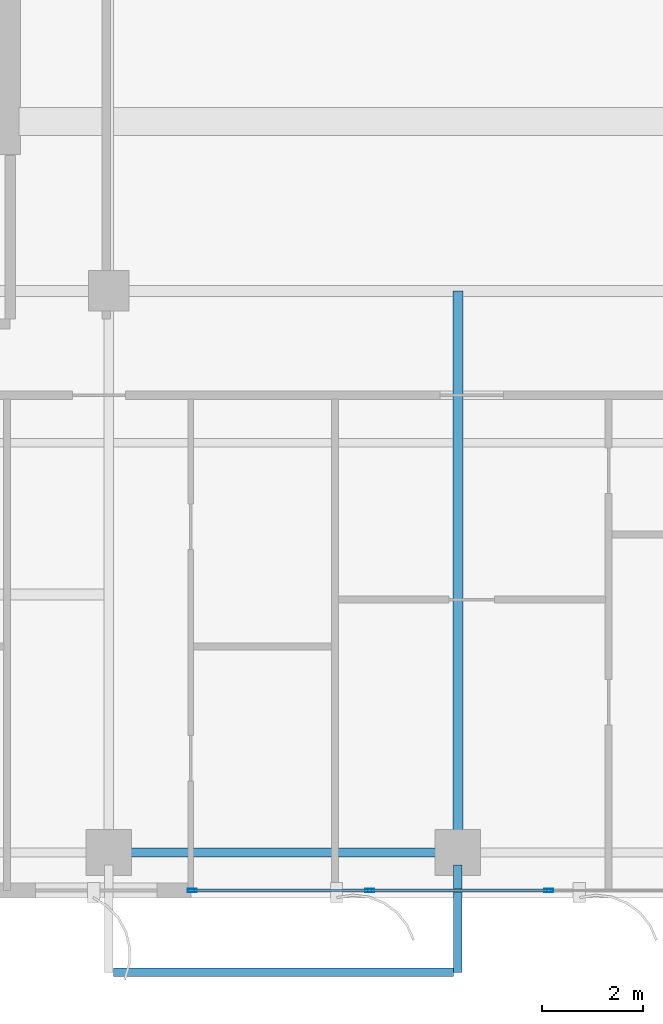
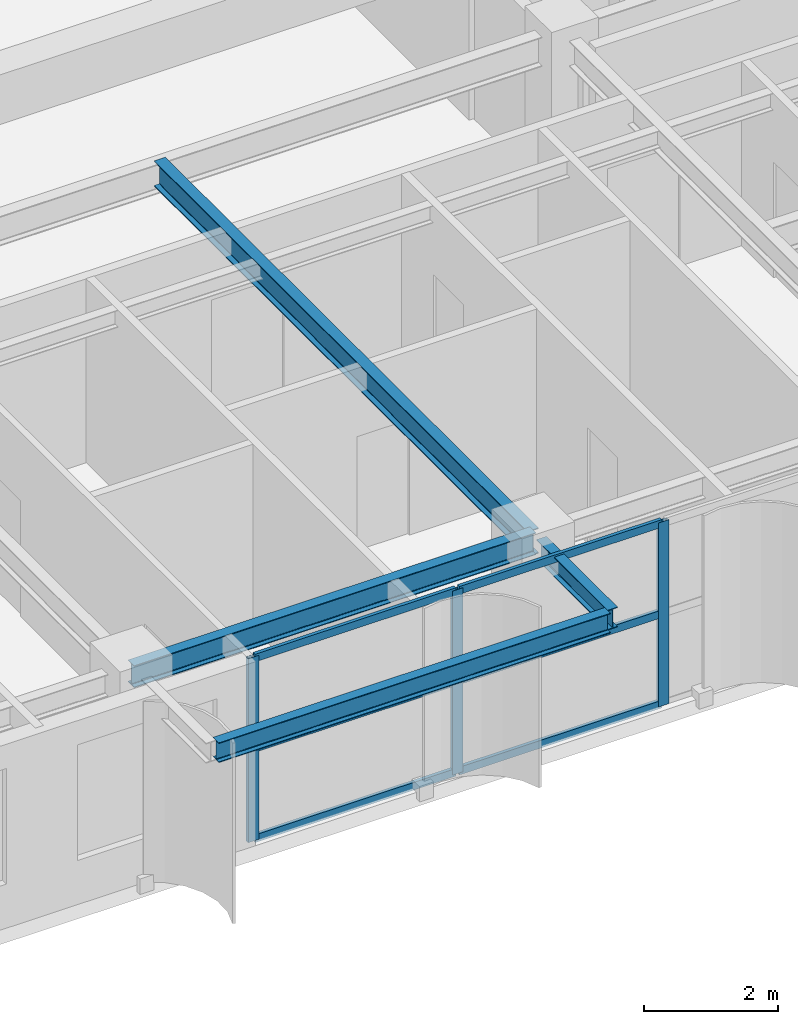
# One storey, part 2 of 23: 9 members, 4 beams, 1 element without a shape of its own.
"""IFC4 building model written with IfcOpenShell, lengths in metres."""

from ifc_helpers import new_model, si_unit, direction, frame, origin, origin_2d, place, context, subcontext, project, spatial, hollow_rectangle, i_section, extrude, source, transform, mapped, material, layer, layer_set, material_profile, profile_set, type_object, element, aggregate, save


model = new_model("IFC4")

# Units and contexts
model_context = context("Model", 3, precision=1e-05, world=origin(), true_north=direction((0.0, 1.0)))
body_context = subcontext(model_context, "Body", "Model", "MODEL_VIEW")
ifc_project = project(units=[si_unit("LENGTHUNIT", "METRE"), si_unit("AREAUNIT", "SQUARE_METRE"), si_unit("VOLUMEUNIT", "CUBIC_METRE"), si_unit("PLANEANGLEUNIT", "RADIAN"), si_unit("MASSUNIT", "GRAM", prefix="KILO")], contexts=[model_context])

# Site, building, storey
site_placement = place(None, origin())
site = spatial("IfcSite", under=ifc_project, at=site_placement, CompositionType="ELEMENT")
building_placement = place(site_placement, origin())
building = spatial("IfcBuilding", under=site, at=building_placement, Name="Khoralis Quay Care Tower", CompositionType="ELEMENT")
storey_placement = place(building_placement, frame((0.0, 0.0, 173.699951171875)))
storey = spatial("IfcBuildingStorey", under=building, at=storey_placement, Name="L45", CompositionType="ELEMENT", Elevation=173.699951171875)

# Beams
ifc_material_1 = material(Name="Steel S355", Category="steel")
ifc_material_profile_1 = material_profile(ifc_material_1, i_section(OverallWidth=0.179931640625, OverallDepth=0.39990234375, WebThickness=0.008544921875, FlangeThickness=0.013427734375, FilletRadius=0.02099609375, at=origin_2d()), Name="Steel S355")
ifc_profile_set_1 = profile_set([ifc_material_profile_1], Name="Steel S355")
beam_type_1 = type_object("IfcBeamType", Name="BM-IPE400", PredefinedType="SPANDREL", material=ifc_profile_set_1)
shared_shape_1 = source(origin(), body_context, "Body", "SweptSolid", [
    extrude(i_section(OverallWidth=0.179931640625, OverallDepth=0.39990234375, WebThickness=0.008544921875, FlangeThickness=0.013427734375, FilletRadius=0.02099609375, at=origin_2d()), origin(), (0.0, 0.0, 1.0), 6.89990234375),
])
beam_1_placement = place(storey_placement, frame((17.10009765625, 0.89990234375, 3.14013671875), z_axis=(1.0, 0.0, 0.0), x_axis=(0.0, 1.0, 0.0)))
element("IfcBeam", 1, at=beam_1_placement, inside=storey, type_object=beam_type_1, Name="BM-TSP-L45-02", PredefinedType="SPANDREL", context=body_context, shape_type="MappedRepresentation", body=[
    mapped(shared_shape_1, transform((0.0, 0.0, 0.0), scale=1.0)),
])
ifc_material_profile_2 = material_profile(ifc_material_1, i_section(OverallWidth=0.19189453125, OverallDepth=0.462890625, WebThickness=0.010498046875, FlangeThickness=0.017578125, FilletRadius=0.014892578125, at=origin_2d()), Name="Steel S355")
ifc_profile_set_2 = profile_set([ifc_material_profile_2], Name="Steel S355")
beam_type_2 = type_object("IfcBeamType", Name="BM-W460X89", PredefinedType="BEAM", material=ifc_profile_set_2)
shared_shape_2 = source(origin(), body_context, "Body", "SweptSolid", [
    extrude(i_section(OverallWidth=0.19189453125, OverallDepth=0.462890625, WebThickness=0.010498046875, FlangeThickness=0.017578125, FilletRadius=0.014892578125, at=origin_2d()), origin(), (0.0, 0.0, 1.0), 11.10009765625),
])
beam_2_placement = place(storey_placement, frame((24.0, 0.89990234375, 3.108642578125), z_axis=(0.0, 1.0, 0.0), x_axis=(-1.0, 0.0, 0.0)))
element("IfcBeam", 2, at=beam_2_placement, inside=storey, type_object=beam_type_2, Name="BM-TGYS-L45-240", PredefinedType="BEAM", context=body_context, shape_type="MappedRepresentation", body=[
    mapped(shared_shape_2, transform((0.0, 0.0, 0.0), scale=1.0)),
])
ifc_material_profile_3 = material_profile(ifc_material_1, i_section(OverallWidth=0.169921875, OverallDepth=0.360107421875, WebThickness=0.008056640625, FlangeThickness=0.0126953125, FilletRadius=0.01806640625, at=origin_2d()), Name="Steel S355")
ifc_profile_set_3 = profile_set([ifc_material_profile_3], Name="Steel S355")
beam_type_3 = type_object("IfcBeamType", Name="BM-IPE360", PredefinedType="SPANDREL", material=ifc_profile_set_3)
shared_shape_3 = source(origin(), body_context, "Body", "SweptSolid", [
    extrude(i_section(OverallWidth=0.169921875, OverallDepth=0.360107421875, WebThickness=0.008056640625, FlangeThickness=0.0126953125, FilletRadius=0.01806640625, at=origin_2d()), origin(), (0.0, 0.0, 1.0), 2.119873046875),
])
beam_3_placement = place(storey_placement, frame((24.0, 0.64990234375, 3.1640625), z_axis=(0.0, -1.0, 0.0), x_axis=(1.0, 0.0, 0.0)))
element("IfcBeam", 3, at=beam_3_placement, inside=storey, type_object=beam_type_3, Name="L46 Balcony Cantilever Outrigger Beam 2", PredefinedType="SPANDREL", context=body_context, shape_type="MappedRepresentation", body=[
    mapped(shared_shape_3, transform((0.0, 0.0, 0.0), scale=1.0)),
])
shared_shape_4 = source(origin(), body_context, "Body", "SweptSolid", [
    extrude(i_section(OverallWidth=0.169921875, OverallDepth=0.360107421875, WebThickness=0.008056640625, FlangeThickness=0.0126953125, FilletRadius=0.01806640625, at=origin_2d()), origin(), (0.0, 0.0, 1.0), 6.72412109375),
])
beam_4_placement = place(storey_placement, frame((17.18798828125, -1.469970703125, 3.1640625), z_axis=(1.0, 0.0, 0.0), x_axis=(0.0, 1.0, 0.0)))
element("IfcBeam", 4, at=beam_4_placement, inside=storey, type_object=beam_type_3, Name="L46 Balcony Edge Spandrel Beam P1E0", PredefinedType="SPANDREL", context=body_context, shape_type="MappedRepresentation", body=[
    mapped(shared_shape_4, transform((0.0, 0.0, 0.0), scale=1.0)),
])

# Curtain wall, members
ifc_material_2 = material(Name="Pale anodised aluminium", Category="aluminium")
ifc_layer = layer(ifc_material_2, 0.159912109375)
ifc_layer_set = layer_set([ifc_layer], Name="Pale anodised aluminium")
curtain_wall_type = type_object("IfcCurtainWallType", Name="CW-SYS-Z3", PredefinedType="NOTDEFINED", material=ifc_layer_set)
curtain_wall_placement = place(storey_placement, origin())
curtain_wall = element("IfcCurtainWall", 5, at=curtain_wall_placement, inside=storey, type_object=curtain_wall_type, Name="L45 Unitised Curtain Wall CW-L45-P1-E0", PredefinedType="NOTDEFINED")
ifc_material_profile_4 = material_profile(ifc_material_2, hollow_rectangle(XDim=0.06494140625, YDim=0.179931640625, WallThickness=0.00390625, at=origin_2d()), Name="Pale anodised aluminium")
ifc_profile_set_4 = profile_set([ifc_material_profile_4], Name="Pale anodised aluminium")
member_type_1 = type_object("IfcMemberType", Name="CW-MUL-180", PredefinedType="MULLION", material=ifc_profile_set_4)
shared_shape_5 = source(origin(), body_context, "Body", "SweptSolid", [
    extrude(hollow_rectangle(XDim=0.06494140625, YDim=0.179931640625, WallThickness=0.00390625, at=origin_2d()), origin(), (0.0, 0.0, 1.0), 3.340087890625),
])
member_1_placement = place(storey_placement, frame((18.7490234375, 0.14990234375, 0.0), z_axis=(0.0, 0.0, 1.0), x_axis=(0.0, 1.0, 0.0)))
member_1 = element("IfcMember", 6, at=member_1_placement, type_object=member_type_1, Name="CW3 mullion 1", PredefinedType="MULLION", context=body_context, shape_type="MappedRepresentation", body=[
    mapped(shared_shape_5, transform((0.0, 0.0, 0.0), scale=1.0)),
])
member_2_placement = place(storey_placement, frame((22.256103515625, 0.14990234375, 0.0), z_axis=(0.0, 0.0, 1.0), x_axis=(0.0, 1.0, 0.0)))
member_2 = element("IfcMember", 7, at=member_2_placement, type_object=member_type_1, Name="CW3 mullion 2", PredefinedType="MULLION", context=body_context, shape_type="MappedRepresentation", body=[
    mapped(shared_shape_5, transform((0.0, 0.0, 0.0), scale=1.0)),
])
member_3_placement = place(storey_placement, frame((25.79296875, 0.14990234375, 0.0), z_axis=(0.0, 0.0, 1.0), x_axis=(0.0, 1.0, 0.0)))
member_3 = element("IfcMember", 8, at=member_3_placement, type_object=member_type_1, Name="CW3 mullion 3", PredefinedType="MULLION", context=body_context, shape_type="MappedRepresentation", body=[
    mapped(shared_shape_5, transform((0.0, 0.0, 0.0), scale=1.0)),
])
ifc_material_profile_5 = material_profile(ifc_material_2, hollow_rectangle(XDim=0.06005859375, YDim=0.139892578125, WallThickness=0.00390625, at=origin_2d()), Name="Pale anodised aluminium")
ifc_profile_set_5 = profile_set([ifc_material_profile_5], Name="Pale anodised aluminium")
member_type_2 = type_object("IfcMemberType", Name="CW-TRN-140", PredefinedType="USERDEFINED", material=ifc_profile_set_5)
shared_shape_6 = source(origin(), body_context, "Body", "SweptSolid", [
    extrude(hollow_rectangle(XDim=0.06005859375, YDim=0.139892578125, WallThickness=0.00390625, at=origin_2d()), origin(), (0.0, 0.0, 1.0), 3.447021484375),
])
member_4_placement = place(storey_placement, frame((18.779052734375, 0.14990234375, 0.030029296875), z_axis=(1.0, 0.0, 0.0), x_axis=(0.0, 1.0, 0.0)))
member_4 = element("IfcMember", 9, at=member_4_placement, type_object=member_type_2, Name="CW3 transom 1.1", ObjectType="TRANSOM", PredefinedType="USERDEFINED", context=body_context, shape_type="MappedRepresentation", body=[
    mapped(shared_shape_6, transform((0.0, 0.0, 0.0), scale=1.0)),
])
member_5_placement = place(storey_placement, frame((18.779052734375, 0.14990234375, 1.670166015625), z_axis=(1.0, 0.0, 0.0), x_axis=(0.0, 1.0, 0.0)))
member_5 = element("IfcMember", 10, at=member_5_placement, type_object=member_type_2, Name="CW3 transom 1.2", ObjectType="TRANSOM", PredefinedType="USERDEFINED", context=body_context, shape_type="MappedRepresentation", body=[
    mapped(shared_shape_6, transform((0.0, 0.0, 0.0), scale=1.0)),
])
member_6_placement = place(storey_placement, frame((18.779052734375, 0.14990234375, 3.31005859375), z_axis=(1.0, 0.0, 0.0), x_axis=(0.0, 1.0, 0.0)))
member_6 = element("IfcMember", 11, at=member_6_placement, type_object=member_type_2, Name="CW3 transom 1.3", ObjectType="TRANSOM", PredefinedType="USERDEFINED", context=body_context, shape_type="MappedRepresentation", body=[
    mapped(shared_shape_6, transform((0.0, 0.0, 0.0), scale=1.0)),
])
shared_shape_7 = source(origin(), body_context, "Body", "SweptSolid", [
    extrude(hollow_rectangle(XDim=0.06005859375, YDim=0.139892578125, WallThickness=0.00390625, at=origin_2d()), origin(), (0.0, 0.0, 1.0), 3.47705078125),
])
member_7_placement = place(storey_placement, frame((22.285888671875, 0.14990234375, 0.030029296875), z_axis=(1.0, 0.0, 0.0), x_axis=(0.0, 1.0, 0.0)))
member_7 = element("IfcMember", 12, at=member_7_placement, type_object=member_type_2, Name="CW3 transom 2.1", ObjectType="TRANSOM", PredefinedType="USERDEFINED", context=body_context, shape_type="MappedRepresentation", body=[
    mapped(shared_shape_7, transform((0.0, 0.0, 0.0), scale=1.0)),
])
member_8_placement = place(storey_placement, frame((22.285888671875, 0.14990234375, 1.670166015625), z_axis=(1.0, 0.0, 0.0), x_axis=(0.0, 1.0, 0.0)))
member_8 = element("IfcMember", 13, at=member_8_placement, type_object=member_type_2, Name="CW3 transom 2.2", ObjectType="TRANSOM", PredefinedType="USERDEFINED", context=body_context, shape_type="MappedRepresentation", body=[
    mapped(shared_shape_7, transform((0.0, 0.0, 0.0), scale=1.0)),
])
member_9_placement = place(storey_placement, frame((22.285888671875, 0.14990234375, 3.31005859375), z_axis=(1.0, 0.0, 0.0), x_axis=(0.0, 1.0, 0.0)))
member_9 = element("IfcMember", 14, at=member_9_placement, type_object=member_type_2, Name="CW3 transom 2.3", ObjectType="TRANSOM", PredefinedType="USERDEFINED", context=body_context, shape_type="MappedRepresentation", body=[
    mapped(shared_shape_7, transform((0.0, 0.0, 0.0), scale=1.0)),
])
aggregate(curtain_wall, [member_1, member_2, member_3, member_4, member_5, member_6, member_7, member_8, member_9])

save(model, "model.ifc")
